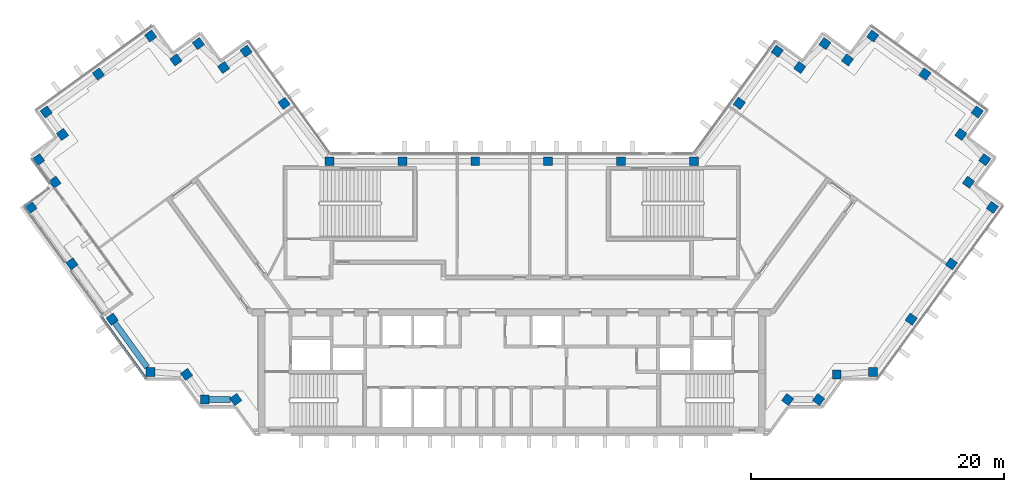
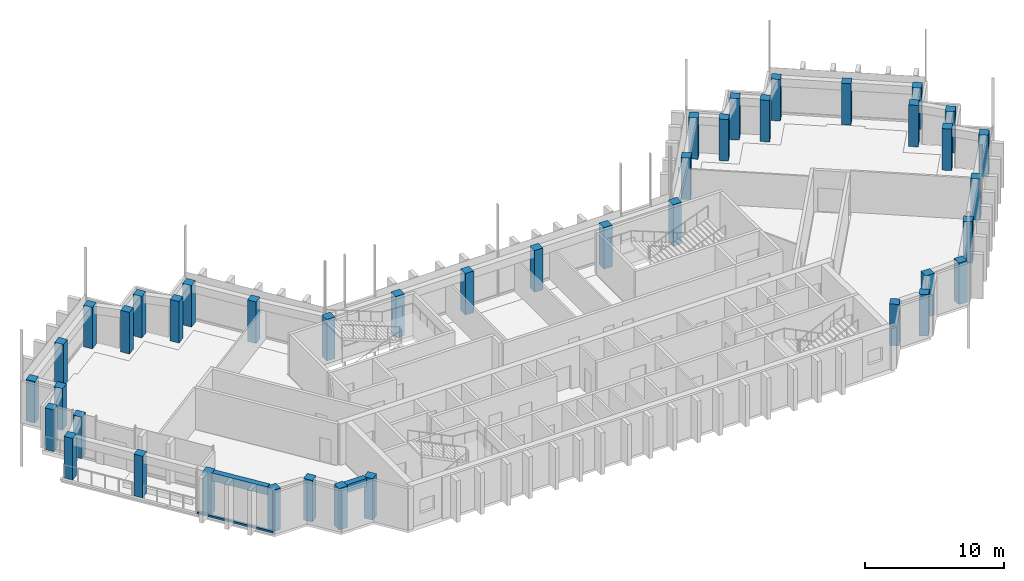
# One storey, part 1 of 14: 42 columns, 2 beams, 1 member, 1 element without a shape of its own.
"""IFC4 building model written with IfcOpenShell, lengths in metres."""

import ifcopenshell
import ifcopenshell.guid

model = None  # the IFC model being written
_history = None  # IfcOwnerHistory: only IFC2X3 demands one
_inside = {}  # id of a spatial element -> (the spatial element, [elements in it])
_under = {}  # id of a project, library or spatial element -> (it, [spatial elements below it])
_declared = {}  # id of a project -> (the project, [libraries it declares])
_typed = {}  # id of a type object -> (the type object, [elements of that type])
_made_of = {}  # id of a material, layer set ... -> (it, [elements and type objects made of it])


def new_model(schema):
    """Start an empty IFC model of exactly this schema.

    Asked for "IFC4X3", IfcOpenShell would pick the latest addendum, in which some entities
    have other attributes; the version numbers below select the first issue.
    IFC2X3 requires an IfcOwnerHistory on every rooted entity: one is made here for all.
    """
    global model, _history
    if schema == "IFC4X3":
        model = ifcopenshell.file(schema_version=(4, 3, 0, 0))
    else:
        model = ifcopenshell.file(schema=schema)
    _inside.clear()
    _under.clear()
    _declared.clear()
    _typed.clear()
    _made_of.clear()
    _history = None
    if model.schema == "IFC2X3":
        org = make("IfcOrganization", Name="unknown")
        user = make(
            "IfcPersonAndOrganization",
            ThePerson=make("IfcPerson", FamilyName="unknown"),
            TheOrganization=org,
        )
        app = make(
            "IfcApplication",
            ApplicationDeveloper=org,
            Version="unknown",
            ApplicationFullName="unknown",
            ApplicationIdentifier="unknown",
        )
        _history = make(
            "IfcOwnerHistory",
            OwningUser=user,
            OwningApplication=app,
            ChangeAction="ADDED",
            CreationDate=0,
        )
    return model


def make(cls, **values):
    """One entity of the class cls with the attributes given. An attribute that is None is left unset."""
    return model.create_entity(
        cls, **{name: value for name, value in values.items() if value is not None}
    )


def rooted(cls, **values):
    """An entity with a GlobalId (a new one), such as an element, a storey or a relation."""
    return make(cls, GlobalId=ifcopenshell.guid.new(), OwnerHistory=_history, **values)


def si_unit(unit_type, name, prefix=None):
    """IfcSIUnit, for example si_unit("LENGTHUNIT", "METRE", prefix="MILLI")."""
    return make("IfcSIUnit", UnitType=unit_type, Prefix=prefix, Name=name)


def assignment(units):
    """IfcUnitAssignment: the units of a project."""
    return None if units is None else make("IfcUnitAssignment", Units=units)


def point(xyz):
    """IfcCartesianPoint."""
    return None if xyz is None else make("IfcCartesianPoint", Coordinates=xyz)


def direction(xyz):
    """IfcDirection."""
    return None if xyz is None else make("IfcDirection", DirectionRatios=xyz)


def frame(location, z_axis=None, x_axis=None):
    """IfcAxis2Placement3D, a coordinate frame: its origin and axes. An axis left out is left unset."""
    return make(
        "IfcAxis2Placement3D",
        Location=point(location),
        Axis=direction(z_axis),
        RefDirection=direction(x_axis),
    )


def frame_2d(location, x_axis=None):
    """IfcAxis2Placement2D, a coordinate frame in the plane: its origin and x axis."""
    return make(
        "IfcAxis2Placement2D", Location=point(location), RefDirection=direction(x_axis)
    )


def origin():
    """The frame at (0, 0, 0) with its axes left unset."""
    return frame((0.0, 0.0, 0.0))


def origin_2d():
    """The frame at (0, 0) in the plane with its x axis left unset."""
    return frame_2d((0.0, 0.0))


def place(relative_to, where):
    """IfcLocalPlacement: puts the frame where relative to a parent placement (None: the world)."""
    return make(
        "IfcLocalPlacement", PlacementRelTo=relative_to, RelativePlacement=where
    )


def context(
    kind, dimensions, precision=None, world=None, true_north=None, identifier=None
):
    """IfcGeometricRepresentationContext, for example the 3D "Model" context."""
    return make(
        "IfcGeometricRepresentationContext",
        ContextIdentifier=identifier,
        ContextType=kind,
        CoordinateSpaceDimension=dimensions,
        Precision=precision,
        WorldCoordinateSystem=world,
        TrueNorth=true_north,
    )


def subcontext(parent, identifier, kind, view, scale=None):
    """IfcGeometricRepresentationSubContext, for example "Body" below "Model"."""
    return make(
        "IfcGeometricRepresentationSubContext",
        ContextIdentifier=identifier,
        ContextType=kind,
        ParentContext=parent,
        TargetScale=scale,
        TargetView=view,
    )


def project(units=None, contexts=None):
    """IfcProject with its units and contexts."""
    return rooted(
        "IfcProject",
        Name="project",
        RepresentationContexts=contexts,
        UnitsInContext=assignment(units),
    )


def spatial(cls, under=None, at=None, **own):
    """A site, building, storey or space (cls), placed at a placement, below another one or the project."""
    s = rooted(cls, ObjectPlacement=at, **own)
    if under is not None:
        _under.setdefault(under.id(), (under, []))[1].append(s)
    return s


def profile(cls, at=None, kind="AREA", **sizes):
    """A parametric profile (cls). Its sizes go by their IFC names, for example OverallWidth=200.0."""
    return make(cls, ProfileType=kind, Position=at, **sizes)


def rectangle(**sizes):
    """IfcRectangleProfileDef."""
    return profile("IfcRectangleProfileDef", **sizes)


def extrude(swept, where, along, depth):
    """IfcExtrudedAreaSolid: the profile swept, set in the frame where, extruded along a direction by depth."""
    return make(
        "IfcExtrudedAreaSolid",
        SweptArea=swept,
        Position=where,
        ExtrudedDirection=direction(along),
        Depth=depth,
    )


def shape(context_of_items, identifier, shape_type, items):
    """IfcShapeRepresentation: the items that make up one representation, for example the "Body"."""
    return make(
        "IfcShapeRepresentation",
        ContextOfItems=context_of_items,
        RepresentationIdentifier=identifier,
        RepresentationType=shape_type,
        Items=items,
    )


def material(Name=None, Category=None):
    """IfcMaterial."""
    return make("IfcMaterial", Name=Name, Category=Category)


def material_profile(
    of_material, cross_section, Name=None, Category=None, Priority=None
):
    """IfcMaterialProfile: a cross section and its material."""
    return make(
        "IfcMaterialProfile",
        Name=Name,
        Material=of_material,
        Profile=cross_section,
        Priority=Priority,
        Category=Category,
    )


def profile_set(profiles, Name=None, composite=None):
    """IfcMaterialProfileSet."""
    return make(
        "IfcMaterialProfileSet",
        Name=Name,
        MaterialProfiles=profiles,
        CompositeProfile=composite,
    )


def made_of(thing, what):
    """Note that an element or type object is made of a material, layer set ...; save() writes the relation."""
    if what is not None:
        _made_of.setdefault(what.id(), (what, []))[1].append(thing)
    return thing


def type_object(cls, material=None, **own):
    """A type object (cls), such as IfcWallType, which elements share."""
    return made_of(rooted(cls, **own), material)


def element(
    cls,
    number,
    at=None,
    inside=None,
    cuts=None,
    type_object=None,
    material=None,
    context=None,
    identifier="Body",
    shape_type=None,
    held_by="IfcProductDefinitionShape",
    body=None,
    shapes=None,
    **own,
):
    """One element of the class cls, such as IfcWall. Its Tag is "e" and its number.

    at: its placement. inside: the storey or other place that contains it. cuts: it is an
    opening in that element (IfcRelVoidsElement). A single representation is given by context,
    identifier, shape_type and body (its items); several are given by shapes. held_by: the class
    of the entity that holds the representations. save() writes the other relations.
    """
    e = rooted(cls, Tag="e%d" % number, ObjectPlacement=at, **own)
    if body is not None:
        shapes = [shape(context, identifier, shape_type, body)]
    if shapes is not None:
        e.Representation = make(held_by, Representations=shapes)
    if inside is not None:
        _inside.setdefault(inside.id(), (inside, []))[1].append(e)
    if cuts is not None:
        rooted(
            "IfcRelVoidsElement", RelatingBuildingElement=cuts, RelatedOpeningElement=e
        )
    if type_object is not None:
        _typed.setdefault(type_object.id(), (type_object, []))[1].append(e)
    return made_of(e, material)


def aggregate(whole, parts):
    """IfcRelAggregates: a whole, such as a stair, and the parts it consists of."""
    return rooted("IfcRelAggregates", RelatingObject=whole, RelatedObjects=parts)


def save(model, path):
    """Write the relations noted so far, then the file.

    IfcRelAggregates (storeys below a building ...), IfcRelContainedInSpatialStructure (elements
    in a storey), IfcRelDefinesByType, IfcRelAssociatesMaterial and IfcRelDeclares: one each for
    every whole, place, type object, material and project.
    """
    for whole, parts in _under.values():
        aggregate(whole, parts)
    for where, things in _inside.values():
        rooted(
            "IfcRelContainedInSpatialStructure",
            RelatedElements=things,
            RelatingStructure=where,
        )
    for kind, things in _typed.values():
        rooted("IfcRelDefinesByType", RelatedObjects=things, RelatingType=kind)
    for what, things in _made_of.values():
        rooted("IfcRelAssociatesMaterial", RelatedObjects=things, RelatingMaterial=what)
    for by, libraries in _declared.values():
        rooted("IfcRelDeclares", RelatingContext=by, RelatedDefinitions=libraries)
    model.write(path)


model = new_model("IFC4")

# Units and contexts
model_context = context("Model", 3, precision=1e-05, world=origin(), true_north=direction((0.0, 1.0)))
body_context = subcontext(model_context, "Body", "Model", "MODEL_VIEW")
ifc_project = project(units=[si_unit("LENGTHUNIT", "METRE"), si_unit("AREAUNIT", "SQUARE_METRE"), si_unit("VOLUMEUNIT", "CUBIC_METRE"), si_unit("PLANEANGLEUNIT", "RADIAN"), si_unit("MASSUNIT", "GRAM", prefix="KILO")], contexts=[model_context])

# Site, building, storey
site_placement = place(None, origin())
site = spatial("IfcSite", under=ifc_project, at=site_placement, CompositionType="ELEMENT")
building_placement = place(site_placement, origin())
building = spatial("IfcBuilding", under=site, at=building_placement, Name="Quipu Civic Tower", CompositionType="ELEMENT")
storey_placement = place(building_placement, frame((0.0, 0.0, 257.0)))
storey = spatial("IfcBuildingStorey", under=building, at=storey_placement, Name="L60", CompositionType="ELEMENT", Elevation=257.0)

# Columns
ifc_material_1 = material(Name="Concrete C50/60", Category="concrete")
ifc_material_profile_1 = material_profile(ifc_material_1, rectangle(XDim=0.699951171875, YDim=0.699951171875, at=origin_2d()), Name="RC700x700")
ifc_profile_set_1 = profile_set([ifc_material_profile_1], Name="Concrete C50/60")
column_type = type_object("IfcColumnType", Name="Perimeter column RC 700x700 C50/60", PredefinedType="COLUMN", material=ifc_profile_set_1)
for number, where, z_axis, x_axis, name in (
    (1, (-17.9736328125, 15.074951171875, 0.0), (0.0, 0.0, 1.0), (-0.587785252292, 0.809016994375, 0.0), "Column L60 W-IN-01"),
    (2, (-20.969970703125, 19.195068359375, 0.0), (0.0, 0.0, 1.0), (-0.587785252292, 0.809016994375, 0.0), "Column L60 T-Wi.0-W22"),
    (3, (-22.749267578125, 17.904296875, 0.0), (0.0, 0.0, 1.0), (-0.587785252292, 0.809016994375, 0.0), "Column L60 T-Wi.1-W22"),
    (4, (-24.739990234375, 19.794921875, 0.0), (0.0, 0.0, 1.0), (-0.587785252292, 0.809016994375, 0.0), "Column L60 T-Wi.2-W22"),
    (5, (-26.51904296875, 18.50048828125, 0.0), (0.0, 0.0, 1.0), (-0.587785252292, 0.809016994375, 0.0), "Column L60 T-Wi.3-W22"),
    (6, (-28.510009765625, 20.389892578125, 0.0), (0.0, 0.0, 1.0), (-0.809016994375, -0.587785252292, 0.0), "Column L60 T-Wi.4-W22"),
    (7, (-32.636962890625, 17.39306640625, 0.0), (0.0, 0.0, 1.0), (-0.809016994375, -0.587785252292, 0.0), "Column L60 TIP-W-01-W22"),
    (8, (-36.764892578125, 14.39501953125, 0.0), (0.0, 0.0, 1.0), (0.587785252292, -0.809016994375, 0.0), "Column L60 T-Wo.0-W22"),
    (9, (-35.470703125, 12.616455078125, 0.0), (0.0, 0.0, 1.0), (-0.809016994375, -0.587785252292, 0.0), "Column L60 T-Wo.1-W22"),
    (10, (-37.360107421875, 10.625, 0.0), (0.0, 0.0, 1.0), (0.587785252292, -0.809016994375, 0.0), "Column L60 T-Wo.2-W22"),
    (11, (-36.068115234375, 8.843994140625, 0.0), (0.0, 0.0, 1.0), (0.587785252292, -0.809016994375, 0.0), "Column L60 T-Wo.3-W22"),
    (12, (-37.9599609375, 6.85498046875, 0.0), (0.0, 0.0, 1.0), (0.587785252292, -0.809016994375, 0.0), "Column L60 T-Wo.4-W22"),
    (13, (-34.722412109375, 2.39990234375, 0.0), (0.0, 0.0, 1.0), (0.587785252292, -0.809016994375, 0.0), "Column L60 W-OUT-02"),
    (14, (-31.54833984375, -1.96875, 0.0), (0.0, 0.0, 1.0), (0.587785252292, -0.809016994375, 0.0), "Column L60 W-OUT-01"),
    (15, (-28.52490234375, -6.1298828125, 0.0), (0.0, 0.0, 1.0), (1.0, 0.0, 0.0), "Column L60 J-Wo.0"),
    (16, (-25.67431640625, -6.3369140625, 0.0), (0.0, 0.0, 1.0), (0.587785252292, -0.809016994375, 0.0), "Column L60 J-Wo.1"),
    (17, (-24.235107421875, -8.31494140625, 0.0), (0.0, 0.0, 1.0), (1.0, 0.0, 0.0), "Column L60 J-Wo.2"),
    (18, (-21.791748046875, -8.31494140625, 0.0), (0.0, 0.0, 1.0), (0.587785252292, -0.809016994375, 0.0), "Column L60 J-Wo.3"),
    (19, (21.791748046875, -8.31494140625, 0.0), (0.0, 0.0, 1.0), (0.587785252292, 0.809016994375, 0.0), "Column L60 J-Eo.1"),
    (20, (24.235107421875, -8.31494140625, 0.0), (0.0, 0.0, 1.0), (0.587785252292, 0.809016994375, 0.0), "Column L60 J-Eo.2"),
    (21, (25.67431640625, -6.3369140625, 0.0), (0.0, 0.0, 1.0), (1.0, 0.0, 0.0), "Column L60 J-Eo.3"),
    (22, (28.52490234375, -6.1298828125, 0.0), (0.0, 0.0, 1.0), (1.0, 0.0, 0.0), "Column L60 J-Eo.4"),
    (23, (31.54833984375, -1.96875, 0.0), (0.0, 0.0, 1.0), (0.587785252292, 0.809016994375, 0.0), "Column L60 E-OUT-01"),
    (24, (34.722412109375, 2.39990234375, 0.0), (0.0, 0.0, 1.0), (0.587785252292, 0.809016994375, 0.0), "Column L60 E-OUT-02"),
    (25, (37.9599609375, 6.85498046875, 0.0), (0.0, 0.0, 1.0), (0.587785252292, 0.809016994375, 0.0), "Column L60 T-Eo.0-E22"),
    (26, (36.068115234375, 8.843994140625, 0.0), (0.0, 0.0, 1.0), (0.587785252292, 0.809016994375, 0.0), "Column L60 T-Eo.1-E22"),
    (27, (37.360107421875, 10.625, 0.0), (0.0, 0.0, 1.0), (0.587785252292, 0.809016994375, 0.0), "Column L60 T-Eo.2-E22"),
    (28, (35.470703125, 12.616455078125, 0.0), (0.0, 0.0, 1.0), (-0.809016994375, 0.587785252292, 0.0), "Column L60 T-Eo.3-E22"),
    (29, (36.764892578125, 14.39501953125, 0.0), (0.0, 0.0, 1.0), (-0.809016994375, 0.587785252292, 0.0), "Column L60 T-Eo.4-E22"),
    (30, (32.636962890625, 17.39306640625, 0.0), (0.0, 0.0, 1.0), (-0.809016994375, 0.587785252292, 0.0), "Column L60 TIP-E-01-E22"),
    (31, (28.510009765625, 20.389892578125, 0.0), (0.0, 0.0, 1.0), (-0.587785252292, -0.809016994375, 0.0), "Column L60 T-Ei.0-E22"),
    (32, (26.51904296875, 18.50048828125, 0.0), (0.0, 0.0, 1.0), (-0.809016994375, 0.587785252292, 0.0), "Column L60 T-Ei.1-E22"),
    (33, (24.739990234375, 19.794921875, 0.0), (0.0, 0.0, 1.0), (-0.587785252292, -0.809016994375, 0.0), "Column L60 T-Ei.2-E22"),
    (34, (22.749267578125, 17.904296875, 0.0), (0.0, 0.0, 1.0), (-0.587785252292, -0.809016994375, 0.0), "Column L60 T-Ei.3-E22"),
    (35, (20.969970703125, 19.195068359375, 0.0), (0.0, 0.0, 1.0), (-0.587785252292, -0.809016994375, 0.0), "Column L60 T-Ei.4-E22"),
    (36, (17.9736328125, 15.074951171875, 0.0), (0.0, 0.0, 1.0), (-0.587785252292, -0.809016994375, 0.0), "Column L60 E-IN-01"),
    (37, (14.395263671875, 10.5, 0.0), (0.0, 0.0, 1.0), (-1.0, 0.0, 0.0), "Column L60 J-Ei.0"),
    (38, (8.63720703125, 10.5, 0.0), (0.0, 0.0, 1.0), (-1.0, 0.0, 0.0), "Column L60 FRONT-01"),
    (39, (2.87890625, 10.5, 0.0), (0.0, 0.0, 1.0), (-1.0, 0.0, 0.0), "Column L60 FRONT-02"),
    (40, (-2.87890625, 10.5, 0.0), (0.0, 0.0, 1.0), (-1.0, 0.0, 0.0), "Column L60 FRONT-03"),
    (41, (-8.63720703125, 10.5, 0.0), (0.0, 0.0, 1.0), (-1.0, 0.0, 0.0), "Column L60 FRONT-04"),
    (42, (-14.395263671875, 10.5, 0.0), (0.0, 0.0, 1.0), (-1.0, 0.0, 0.0), "Column L60 J-Wi.0"),
):
    element("IfcColumn", number, at=place(storey_placement, frame(where, z_axis=z_axis, x_axis=x_axis)), inside=storey, type_object=column_type, Name=name, PredefinedType="COLUMN", context=body_context, shape_type="SweptSolid", body=[
        extrude(rectangle(XDim=0.699951171875, YDim=0.699951171875, at=origin_2d()), origin(), (0.0, 0.0, 1.0), 3.64990234375),
    ])

# Beams
ifc_material_2 = material(Name="Concrete C50/60", Category="concrete")
ifc_material_profile_2 = material_profile(ifc_material_2, rectangle(XDim=0.449951171875, YDim=0.699951171875, at=origin_2d()), Name="RC450x700")
ifc_profile_set_2 = profile_set([ifc_material_profile_2], Name="Concrete C50/60")
beam_type = type_object("IfcBeamType", Name="Spandrel beam RC 450x700 C50/60", PredefinedType="SPANDREL", material=ifc_profile_set_2)
beam_1_placement = place(storey_placement, frame((-31.342529296875, -2.251953125, 3.300048828125), z_axis=(0.58777550284, -0.809024077677, 0.0), x_axis=(0.809024077677, 0.58777550284, 0.0)))
element("IfcBeam", 43, at=beam_1_placement, inside=storey, type_object=beam_type, Name="Spandrel beam L60 W-OUT-01 to J-Wo.0", PredefinedType="SPANDREL", context=body_context, shape_type="SweptSolid", body=[
    extrude(rectangle(XDim=0.449951171875, YDim=0.699951171875, at=origin_2d()), origin(), (0.0, 0.0, 1.0), 4.36083984375),
])
beam_2_placement = place(storey_placement, frame((-23.885009765625, -8.31494140625, 3.300048828125), z_axis=(1.0, 0.0, 0.0), x_axis=(0.0, 1.0, 0.0)))
element("IfcBeam", 44, at=beam_2_placement, inside=storey, type_object=beam_type, Name="Spandrel beam L60 J-Wo.2 to J-Wo.3", PredefinedType="SPANDREL", context=body_context, shape_type="SweptSolid", body=[
    extrude(rectangle(XDim=0.449951171875, YDim=0.699951171875, at=origin_2d()), origin(), (0.0, 0.0, 1.0), 1.66064453125),
])

# Curtain wall, member
ifc_material_3 = material(Name="Insulated glass unit", Category="glass")
curtain_wall_type = type_object("IfcCurtainWallType", Name="Office curtain wall CW1", PredefinedType="NOTDEFINED", material=ifc_material_3)
curtain_wall_placement = place(storey_placement, origin())
curtain_wall = element("IfcCurtainWall", 45, at=curtain_wall_placement, inside=storey, type_object=curtain_wall_type, Name="Office curtain wall CW1 L60 run 7", PredefinedType="NOTDEFINED")
ifc_material_4 = material(Name="Anodised aluminium", Category="aluminium")
ifc_material_profile_3 = material_profile(ifc_material_4, rectangle(XDim=0.199951171875, YDim=0.159912109375, at=origin_2d()), Name="RECT 200x160")
ifc_profile_set_3 = profile_set([ifc_material_profile_3], Name="Anodised aluminium")
member_type = type_object("IfcMemberType", Name="Transom CW1", PredefinedType="USERDEFINED", material=ifc_profile_set_3)
member_placement = place(storey_placement, frame((-32.40087890625, -1.81591796875, 0.159912109375), z_axis=(0.587786666238, -0.809015967081, 0.0), x_axis=(0.809015967081, 0.587786666238, 0.0)))
member = element("IfcMember", 46, at=member_placement, type_object=member_type, Name="CW1 transom 1.1", ObjectType="TRANSOM", PredefinedType="USERDEFINED", context=body_context, shape_type="SweptSolid", body=[
    extrude(rectangle(XDim=0.199951171875, YDim=0.159912109375, at=origin_2d()), origin(), (0.0, 0.0, 1.0), 5.99560546875),
])
aggregate(curtain_wall, [member])

save(model, "model.ifc")
